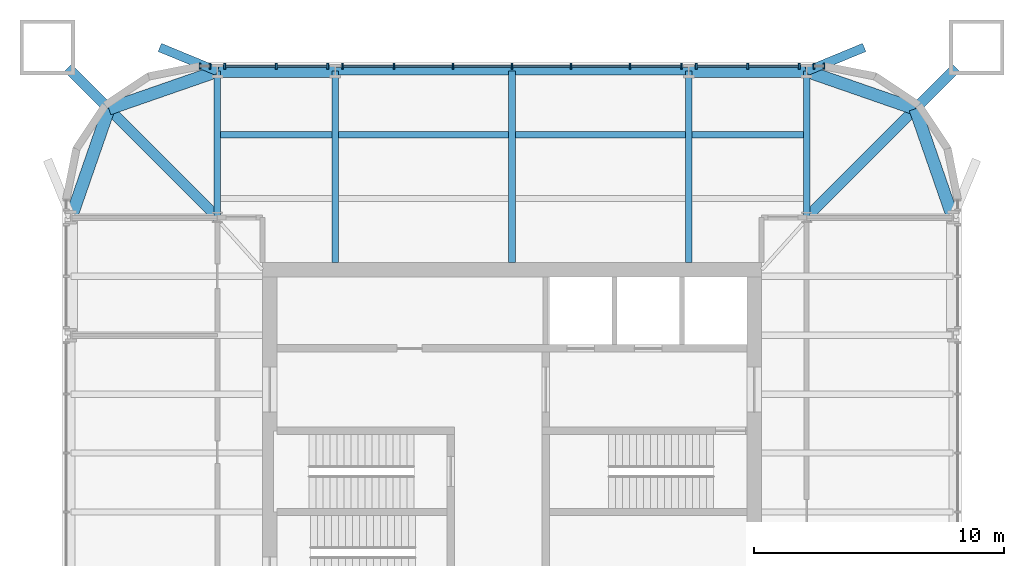
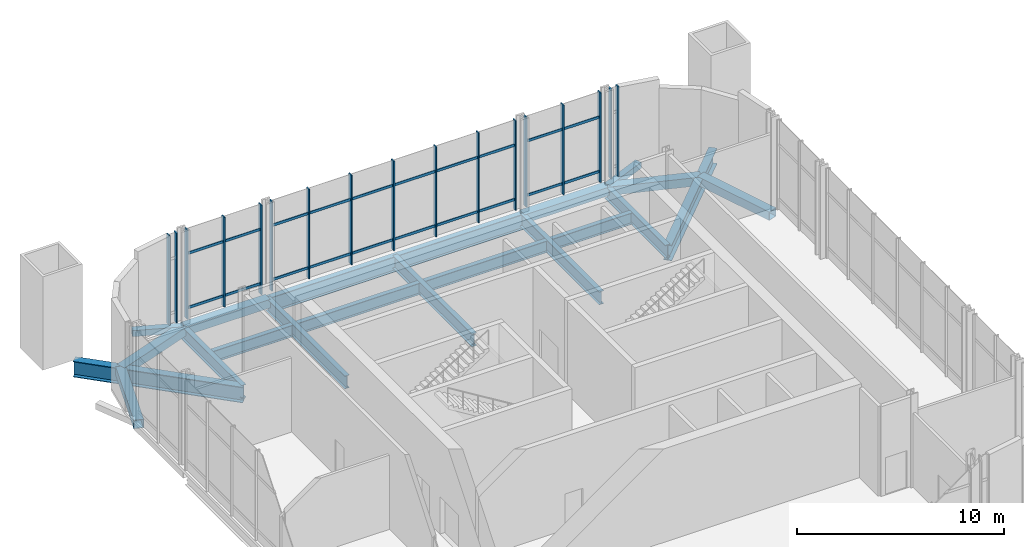
# One storey, part 6 of 17: 37 members, 20 beams, 5 elements without a shape of their own.
"""IFC4 building model written with IfcOpenShell, lengths in metres."""

from ifc_helpers import new_model, si_unit, direction, frame, origin, origin_2d, place, context, subcontext, project, spatial, rectangle, hollow_rectangle, i_section, extrude, material, material_profile, profile_set, type_object, element, aggregate, save


model = new_model("IFC4")

# Units and contexts
model_context = context("Model", 3, precision=1e-05, world=origin(), true_north=direction((0.0, 1.0)))
body_context = subcontext(model_context, "Body", "Model", "MODEL_VIEW")
ifc_project = project(units=[si_unit("LENGTHUNIT", "METRE"), si_unit("AREAUNIT", "SQUARE_METRE"), si_unit("VOLUMEUNIT", "CUBIC_METRE"), si_unit("PLANEANGLEUNIT", "RADIAN"), si_unit("MASSUNIT", "GRAM", prefix="KILO")], contexts=[model_context])

# Site, building, storey
site_placement = place(None, origin())
site = spatial("IfcSite", under=ifc_project, at=site_placement, CompositionType="ELEMENT")
building_placement = place(site_placement, origin())
building = spatial("IfcBuilding", under=site, at=building_placement, Name="Turquesa Mirador Hotel Tower", CompositionType="ELEMENT")
storey_placement = place(building_placement, frame((0.0, 0.0, 266.699951171875)))
storey = spatial("IfcBuildingStorey", under=building, at=storey_placement, Name="L72", CompositionType="ELEMENT", Elevation=266.699951171875)

# Beams
ifc_material_1 = material(Name="Steel ASTM A572 Grade 50", Category="steel")
ifc_material_profile_1 = material_profile(ifc_material_1, hollow_rectangle(XDim=0.5, YDim=0.5, WallThickness=0.01611328125, at=origin_2d()), Name="BOX500X500X16")
ifc_profile_set_1 = profile_set([ifc_material_profile_1], Name="Steel ASTM A572 Grade 50")
beam_type_1 = type_object("IfcBeamType", Name="BEAM BOX500X500X16", PredefinedType="BEAM", material=ifc_profile_set_1)
for number, where, z_axis, x_axis, name in (
    (1, (43.199951171875, 62.64990234375, -0.419921875), (1.0, 0.0, 0.0), (0.0, 1.0, 0.0), "EB-L72-N-L"),
    (2, (62.080078125, 62.64990234375, -0.419921875), (1.0, 0.0, 0.0), (0.0, 1.0, 0.0), "EB-L72-N-R"),
):
    element("IfcBeam", number, at=place(storey_placement, frame(where, z_axis=z_axis, x_axis=x_axis)), inside=storey, type_object=beam_type_1, Name=name, PredefinedType="BEAM", context=body_context, shape_type="SweptSolid", body=[
        extrude(hollow_rectangle(XDim=0.5, YDim=0.5, WallThickness=0.01611328125, at=origin_2d()), origin(), (0.0, 0.0, 1.0), 4.719970703125),
    ])
for number, where, z_axis, x_axis, name in (
    (3, (72.64990234375, 56.800048828125, -0.419921875), (-0.328170356092, 0.944618556552, 0.0), (-0.944618556552, -0.328170356092, 0.0), "KE-L72-1-0"),
    (4, (71.1416015625, 61.1416015625, -0.419921875), (-0.944618556552, 0.328170356092, 0.0), (-0.328170356092, -0.944618556552, 0.0), "KE-L72-1-1"),
    (5, (37.35009765625, 56.800048828125, -0.419921875), (0.328170356092, 0.944618556552, 0.0), (-0.944618556552, 0.328170356092, 0.0), "KE-L72-2-0"),
    (6, (38.8583984375, 61.1416015625, -0.419921875), (0.944618556552, 0.328170356092, 0.0), (-0.328170356092, 0.944618556552, 0.0), "KE-L72-2-1"),
):
    element("IfcBeam", number, at=place(storey_placement, frame(where, z_axis=z_axis, x_axis=x_axis)), inside=storey, type_object=beam_type_1, Name=name, PredefinedType="BEAM", context=body_context, shape_type="SweptSolid", body=[
        extrude(hollow_rectangle(XDim=0.5, YDim=0.5, WallThickness=0.01611328125, at=origin_2d()), origin(), (0.0, 0.0, 1.0), 4.59619140625),
    ])
ifc_material_2 = material(Name="Steel ASTM A992 Grade 50", Category="steel")
ifc_material_profile_2 = material_profile(ifc_material_2, i_section(OverallWidth=0.25390625, OverallDepth=0.683349609375, WebThickness=0.012451171875, FlangeThickness=0.018798828125, at=origin_2d()), Name="W27X94")
ifc_profile_set_2 = profile_set([ifc_material_profile_2], Name="Steel ASTM A992 Grade 50")
beam_type_2 = type_object("IfcBeamType", Name="BEAM W27X94", PredefinedType="BEAM", material=ifc_profile_set_2)
beam_1_placement = place(storey_placement, frame((43.333251953125, 60.10009765625, -0.511474609375), z_axis=(1.0, 0.0, 0.0), x_axis=(0.0, 1.0, 0.0)))
element("IfcBeam", 7, at=beam_1_placement, inside=storey, type_object=beam_type_2, Name="IB-L72-N-2-0", PredefinedType="BEAM", context=body_context, shape_type="SweptSolid", body=[
    extrude(i_section(OverallWidth=0.25390625, OverallDepth=0.683349609375, WebThickness=0.012451171875, FlangeThickness=0.018798828125, at=origin_2d()), origin(), (0.0, 0.0, 1.0), 4.453369140625),
])
for number, where, z_axis, x_axis, name in (
    (8, (48.053466796875, 60.10009765625, -0.511474609375), (1.0, 0.0, 0.0), (0.0, 1.0, 0.0), "IB-L72-N-2-1"),
    (9, (55.13330078125, 60.10009765625, -0.511474609375), (1.0, 0.0, 0.0), (0.0, 1.0, 0.0), "IB-L72-N-2-2"),
):
    element("IfcBeam", number, at=place(storey_placement, frame(where, z_axis=z_axis, x_axis=x_axis)), inside=storey, type_object=beam_type_2, Name=name, PredefinedType="BEAM", context=body_context, shape_type="SweptSolid", body=[
        extrude(i_section(OverallWidth=0.25390625, OverallDepth=0.683349609375, WebThickness=0.012451171875, FlangeThickness=0.018798828125, at=origin_2d()), origin(), (0.0, 0.0, 1.0), 6.813232421875),
    ])
beam_2_placement = place(storey_placement, frame((62.21337890625, 60.10009765625, -0.511474609375), z_axis=(1.0, 0.0, 0.0), x_axis=(0.0, 1.0, 0.0)))
element("IfcBeam", 10, at=beam_2_placement, inside=storey, type_object=beam_type_2, Name="IB-L72-N-2-3", PredefinedType="BEAM", context=body_context, shape_type="SweptSolid", body=[
    extrude(i_section(OverallWidth=0.25390625, OverallDepth=0.683349609375, WebThickness=0.012451171875, FlangeThickness=0.018798828125, at=origin_2d()), origin(), (0.0, 0.0, 1.0), 4.453369140625),
])
ifc_material_3 = material(Name="Steel ASTM A992 Grade 50", Category="steel")
ifc_material_profile_3 = material_profile(ifc_material_3, i_section(OverallWidth=0.2666015625, OverallDepth=0.761962890625, WebThickness=0.014404296875, FlangeThickness=0.021484375, at=origin_2d()), Name="W30X116")
ifc_profile_set_3 = profile_set([ifc_material_profile_3], Name="Steel ASTM A992 Grade 50")
beam_type_3 = type_object("IfcBeamType", Name="BEAM W30X116", PredefinedType="BEAM", material=ifc_profile_set_3)
for number, where, z_axis, x_axis, name in (
    (11, (47.919921875, 62.64990234375, -0.551025390625), (0.0, -1.0, 0.0), (1.0, 0.0, 0.0), "GD-L72-N--7.08"),
    (12, (62.080078125, 62.64990234375, -0.551025390625), (0.0, -1.0, 0.0), (1.0, 0.0, 0.0), "GD-L72-N-+7.08"),
    (13, (55.0, 62.64990234375, -0.551025390625), (0.0, -1.0, 0.0), (1.0, 0.0, 0.0), "GD-L72-N-+0.00"),
):
    element("IfcBeam", number, at=place(storey_placement, frame(where, z_axis=z_axis, x_axis=x_axis)), inside=storey, type_object=beam_type_3, Name=name, PredefinedType="BEAM", context=body_context, shape_type="SweptSolid", body=[
        extrude(i_section(OverallWidth=0.2666015625, OverallDepth=0.761962890625, WebThickness=0.014404296875, FlangeThickness=0.021484375, at=origin_2d()), origin(), (0.0, 0.0, 1.0), 7.64990234375),
    ])
for number, where, z_axis, x_axis, name in (
    (14, (43.199951171875, 62.64990234375, -0.551025390625), (0.0, -1.0, 0.0), (1.0, 0.0, 0.0), "GK-L72-N--11.80"),
    (15, (66.800048828125, 62.64990234375, -0.551025390625), (0.0, -1.0, 0.0), (1.0, 0.0, 0.0), "GK-L72-N-+11.80"),
):
    element("IfcBeam", number, at=place(storey_placement, frame(where, z_axis=z_axis, x_axis=x_axis)), inside=storey, type_object=beam_type_3, Name=name, PredefinedType="BEAM", context=body_context, shape_type="SweptSolid", body=[
        extrude(i_section(OverallWidth=0.2666015625, OverallDepth=0.761962890625, WebThickness=0.014404296875, FlangeThickness=0.021484375, at=origin_2d()), origin(), (0.0, 0.0, 1.0), 5.849853515625),
    ])
ifc_material_4 = material(Name="Steel ASTM A992 Grade 50", Category="steel")
ifc_material_profile_4 = material_profile(ifc_material_4, i_section(OverallWidth=0.3046875, OverallDepth=0.911865234375, WebThickness=0.015869140625, FlangeThickness=0.02392578125, at=origin_2d()), Name="W36X150")
ifc_profile_set_4 = profile_set([ifc_material_profile_4], Name="Steel ASTM A992 Grade 50")
beam_type_4 = type_object("IfcBeamType", Name="BEAM W36X150", PredefinedType="BEAM", material=ifc_profile_set_4)
beam_3_placement = place(storey_placement, frame((47.919921875, 62.64990234375, -0.6259765625), z_axis=(1.0, 0.0, 0.0), x_axis=(0.0, 1.0, 0.0)))
element("IfcBeam", 16, at=beam_3_placement, inside=storey, type_object=beam_type_4, Name="EB-L72-N-C", PredefinedType="BEAM", context=body_context, shape_type="SweptSolid", body=[
    extrude(i_section(OverallWidth=0.3046875, OverallDepth=0.911865234375, WebThickness=0.015869140625, FlangeThickness=0.02392578125, at=origin_2d()), origin(), (0.0, 0.0, 1.0), 14.16015625),
])
ifc_material_5 = material(Name="Steel ASTM A992 Grade 50", Category="steel")
ifc_material_profile_5 = material_profile(ifc_material_5, i_section(OverallWidth=0.419189453125, OverallDepth=0.927001953125, WebThickness=0.019287109375, FlangeThickness=0.031982421875, at=origin_2d()), Name="W36X231")
ifc_profile_set_5 = profile_set([ifc_material_profile_5], Name="Steel ASTM A992 Grade 50")
beam_type_5 = type_object("IfcBeamType", Name="BEAM W36X231", PredefinedType="BEAM", material=ifc_profile_set_5)
for number, where, z_axis, x_axis, name in (
    (17, (66.800048828125, 56.800048828125, -0.633544921875), (0.707106781187, 0.707106781187, 0.0), (-0.707106781187, 0.707106781187, 0.0), "KD-L72-1"),
    (18, (43.199951171875, 56.800048828125, -0.633544921875), (-0.707106781187, 0.707106781187, 0.0), (-0.707106781187, -0.707106781187, 0.0), "KD-L72-2"),
):
    element("IfcBeam", number, at=place(storey_placement, frame(where, z_axis=z_axis, x_axis=x_axis)), inside=storey, type_object=beam_type_5, Name=name, PredefinedType="BEAM", context=body_context, shape_type="SweptSolid", body=[
        extrude(i_section(OverallWidth=0.419189453125, OverallDepth=0.927001953125, WebThickness=0.019287109375, FlangeThickness=0.031982421875, at=origin_2d()), origin(), (0.0, 0.0, 1.0), 8.46240234375),
    ])
ifc_material_6 = material(Name="Steel ASTM A500 Grade C", Category="steel")
ifc_material_profile_6 = material_profile(ifc_material_6, hollow_rectangle(XDim=0.355712890625, YDim=0.355712890625, WallThickness=0.0146484375, at=origin_2d()), Name="HSS14X14X5/8")
ifc_profile_set_6 = profile_set([ifc_material_profile_6], Name="Steel ASTM A500 Grade C")
beam_type_6 = type_object("IfcBeamType", Name="BRACE STRUT HSS14X14X5/8", PredefinedType="BEAM", material=ifc_profile_set_6)
for number, where, z_axis, x_axis, name in (
    (19, (69.103271484375, 63.60009765625, -0.34765625), (-0.924422192524, -0.381370698887, 0.0), (0.381370698887, -0.924422192524, 0.0), "Brace strut"),
    (20, (40.896728515625, 63.60009765625, -0.34765625), (0.924422192524, -0.381370698887, 0.0), (0.381370698887, 0.924422192524, 0.0), "Brace strut"),
):
    element("IfcBeam", number, at=place(storey_placement, frame(where, z_axis=z_axis, x_axis=x_axis)), inside=storey, type_object=beam_type_6, Name=name, PredefinedType="BEAM", context=body_context, shape_type="SweptSolid", body=[
        extrude(hollow_rectangle(XDim=0.355712890625, YDim=0.355712890625, WallThickness=0.0146484375, at=origin_2d()), origin(), (0.0, 0.0, 1.0), 2.491455078125),
    ])

# Curtain wall, members
ifc_material_7 = material(Name="Aluminium extrusion", Category="aluminium")
curtain_wall_type = type_object("IfcCurtainWallType", Name="CW-6 OBSERVATION CURTAIN WALL", PredefinedType="USERDEFINED", material=ifc_material_7)
curtain_wall_1_placement = place(storey_placement, origin())
curtain_wall_1 = element("IfcCurtainWall", 21, at=curtain_wall_1_placement, inside=storey, type_object=curtain_wall_type, Name="CW-6 OBSERVATION CURTAIN WALL L72", ObjectType="CURTAIN WALL", PredefinedType="USERDEFINED")
ifc_material_8 = material(Name="Aluminium extrusion", Category="aluminium")
ifc_material_profile_7 = material_profile(ifc_material_8, rectangle(XDim=0.06494140625, YDim=0.25, at=origin_2d()), Name="MULLION 65X250")
ifc_profile_set_7 = profile_set([ifc_material_profile_7], Name="Aluminium extrusion")
member_type_1 = type_object("IfcMemberType", Name="CW MULLION 65X250", PredefinedType="MULLION", material=ifc_profile_set_7)
member_1_placement = place(storey_placement, frame((67.5, 62.85009765625, 0.0), z_axis=(0.0, 0.0, 1.0), x_axis=(-1.0, 0.0, 0.0)))
member_1 = element("IfcMember", 22, at=member_1_placement, type_object=member_type_1, Name="Mullion", PredefinedType="MULLION", context=body_context, shape_type="SweptSolid", body=[
    extrude(rectangle(XDim=0.06494140625, YDim=0.25, at=origin_2d()), origin(), (0.0, 0.0, 1.0), 5.280029296875),
])
member_2_placement = place(storey_placement, frame((67.099853515625, 62.85009765625, 0.0), z_axis=(0.0, 0.0, 1.0), x_axis=(-1.0, 0.0, 0.0)))
member_2 = element("IfcMember", 23, at=member_2_placement, type_object=member_type_1, Name="Mullion", PredefinedType="MULLION", context=body_context, shape_type="SweptSolid", body=[
    extrude(rectangle(XDim=0.06494140625, YDim=0.25, at=origin_2d()), origin(), (0.0, 0.0, 1.0), 5.280029296875),
])
aggregate(curtain_wall_1, [member_1, member_2])

curtain_wall_2_placement = place(storey_placement, origin())
curtain_wall_2 = element("IfcCurtainWall", 24, at=curtain_wall_2_placement, inside=storey, type_object=curtain_wall_type, Name="CW-6 OBSERVATION CURTAIN WALL L72", ObjectType="CURTAIN WALL", PredefinedType="USERDEFINED")
member_3_placement = place(storey_placement, frame((66.5, 62.85009765625, 0.0), z_axis=(0.0, 0.0, 1.0), x_axis=(-1.0, 0.0, 0.0)))
member_3 = element("IfcMember", 25, at=member_3_placement, type_object=member_type_1, Name="Mullion", PredefinedType="MULLION", context=body_context, shape_type="SweptSolid", body=[
    extrude(rectangle(XDim=0.06494140625, YDim=0.25, at=origin_2d()), origin(), (0.0, 0.0, 1.0), 5.280029296875),
])
member_4_placement = place(storey_placement, frame((64.43994140625, 62.85009765625, 0.0), z_axis=(0.0, 0.0, 1.0), x_axis=(-1.0, 0.0, 0.0)))
member_4 = element("IfcMember", 26, at=member_4_placement, type_object=member_type_1, Name="Mullion", PredefinedType="MULLION", context=body_context, shape_type="SweptSolid", body=[
    extrude(rectangle(XDim=0.06494140625, YDim=0.25, at=origin_2d()), origin(), (0.0, 0.0, 1.0), 5.280029296875),
])
member_5_placement = place(storey_placement, frame((62.3798828125, 62.85009765625, 0.0), z_axis=(0.0, 0.0, 1.0), x_axis=(-1.0, 0.0, 0.0)))
member_5 = element("IfcMember", 27, at=member_5_placement, type_object=member_type_1, Name="Mullion", PredefinedType="MULLION", context=body_context, shape_type="SweptSolid", body=[
    extrude(rectangle(XDim=0.06494140625, YDim=0.25, at=origin_2d()), origin(), (0.0, 0.0, 1.0), 5.280029296875),
])

curtain_wall_3_placement = place(storey_placement, origin())
curtain_wall_3 = element("IfcCurtainWall", 28, at=curtain_wall_3_placement, inside=storey, type_object=curtain_wall_type, Name="CW-6 OBSERVATION CURTAIN WALL L72", ObjectType="CURTAIN WALL", PredefinedType="USERDEFINED")
member_6_placement = place(storey_placement, frame((61.780029296875, 62.85009765625, 0.0), z_axis=(0.0, 0.0, 1.0), x_axis=(-1.0, 0.0, 0.0)))
member_6 = element("IfcMember", 29, at=member_6_placement, type_object=member_type_1, Name="Mullion", PredefinedType="MULLION", context=body_context, shape_type="SweptSolid", body=[
    extrude(rectangle(XDim=0.06494140625, YDim=0.25, at=origin_2d()), origin(), (0.0, 0.0, 1.0), 5.280029296875),
])
member_7_placement = place(storey_placement, frame((59.719970703125, 62.85009765625, 0.0), z_axis=(0.0, 0.0, 1.0), x_axis=(-1.0, 0.0, 0.0)))
member_7 = element("IfcMember", 30, at=member_7_placement, type_object=member_type_1, Name="Mullion", PredefinedType="MULLION", context=body_context, shape_type="SweptSolid", body=[
    extrude(rectangle(XDim=0.06494140625, YDim=0.25, at=origin_2d()), origin(), (0.0, 0.0, 1.0), 5.280029296875),
])
member_8_placement = place(storey_placement, frame((57.360107421875, 62.85009765625, 0.0), z_axis=(0.0, 0.0, 1.0), x_axis=(-1.0, 0.0, 0.0)))
member_8 = element("IfcMember", 31, at=member_8_placement, type_object=member_type_1, Name="Mullion", PredefinedType="MULLION", context=body_context, shape_type="SweptSolid", body=[
    extrude(rectangle(XDim=0.06494140625, YDim=0.25, at=origin_2d()), origin(), (0.0, 0.0, 1.0), 5.280029296875),
])
member_9_placement = place(storey_placement, frame((55.0, 62.85009765625, 0.0), z_axis=(0.0, 0.0, 1.0), x_axis=(-1.0, 0.0, 0.0)))
member_9 = element("IfcMember", 32, at=member_9_placement, type_object=member_type_1, Name="Mullion", PredefinedType="MULLION", context=body_context, shape_type="SweptSolid", body=[
    extrude(rectangle(XDim=0.06494140625, YDim=0.25, at=origin_2d()), origin(), (0.0, 0.0, 1.0), 5.280029296875),
])
member_10_placement = place(storey_placement, frame((52.639892578125, 62.85009765625, 0.0), z_axis=(0.0, 0.0, 1.0), x_axis=(-1.0, 0.0, 0.0)))
member_10 = element("IfcMember", 33, at=member_10_placement, type_object=member_type_1, Name="Mullion", PredefinedType="MULLION", context=body_context, shape_type="SweptSolid", body=[
    extrude(rectangle(XDim=0.06494140625, YDim=0.25, at=origin_2d()), origin(), (0.0, 0.0, 1.0), 5.280029296875),
])
member_11_placement = place(storey_placement, frame((50.280029296875, 62.85009765625, 0.0), z_axis=(0.0, 0.0, 1.0), x_axis=(-1.0, 0.0, 0.0)))
member_11 = element("IfcMember", 34, at=member_11_placement, type_object=member_type_1, Name="Mullion", PredefinedType="MULLION", context=body_context, shape_type="SweptSolid", body=[
    extrude(rectangle(XDim=0.06494140625, YDim=0.25, at=origin_2d()), origin(), (0.0, 0.0, 1.0), 5.280029296875),
])
member_12_placement = place(storey_placement, frame((48.219970703125, 62.85009765625, 0.0), z_axis=(0.0, 0.0, 1.0), x_axis=(-1.0, 0.0, 0.0)))
member_12 = element("IfcMember", 35, at=member_12_placement, type_object=member_type_1, Name="Mullion", PredefinedType="MULLION", context=body_context, shape_type="SweptSolid", body=[
    extrude(rectangle(XDim=0.06494140625, YDim=0.25, at=origin_2d()), origin(), (0.0, 0.0, 1.0), 5.280029296875),
])

curtain_wall_4_placement = place(storey_placement, origin())
curtain_wall_4 = element("IfcCurtainWall", 36, at=curtain_wall_4_placement, inside=storey, type_object=curtain_wall_type, Name="CW-6 OBSERVATION CURTAIN WALL L72", ObjectType="CURTAIN WALL", PredefinedType="USERDEFINED")
member_13_placement = place(storey_placement, frame((47.6201171875, 62.85009765625, 0.0), z_axis=(0.0, 0.0, 1.0), x_axis=(-1.0, 0.0, 0.0)))
member_13 = element("IfcMember", 37, at=member_13_placement, type_object=member_type_1, Name="Mullion", PredefinedType="MULLION", context=body_context, shape_type="SweptSolid", body=[
    extrude(rectangle(XDim=0.06494140625, YDim=0.25, at=origin_2d()), origin(), (0.0, 0.0, 1.0), 5.280029296875),
])
member_14_placement = place(storey_placement, frame((45.56005859375, 62.85009765625, 0.0), z_axis=(0.0, 0.0, 1.0), x_axis=(-1.0, 0.0, 0.0)))
member_14 = element("IfcMember", 38, at=member_14_placement, type_object=member_type_1, Name="Mullion", PredefinedType="MULLION", context=body_context, shape_type="SweptSolid", body=[
    extrude(rectangle(XDim=0.06494140625, YDim=0.25, at=origin_2d()), origin(), (0.0, 0.0, 1.0), 5.280029296875),
])
member_15_placement = place(storey_placement, frame((43.5, 62.85009765625, 0.0), z_axis=(0.0, 0.0, 1.0), x_axis=(-1.0, 0.0, 0.0)))
member_15 = element("IfcMember", 39, at=member_15_placement, type_object=member_type_1, Name="Mullion", PredefinedType="MULLION", context=body_context, shape_type="SweptSolid", body=[
    extrude(rectangle(XDim=0.06494140625, YDim=0.25, at=origin_2d()), origin(), (0.0, 0.0, 1.0), 5.280029296875),
])

curtain_wall_5_placement = place(storey_placement, origin())
curtain_wall_5 = element("IfcCurtainWall", 40, at=curtain_wall_5_placement, inside=storey, type_object=curtain_wall_type, Name="CW-6 OBSERVATION CURTAIN WALL L72", ObjectType="CURTAIN WALL", PredefinedType="USERDEFINED")
member_16_placement = place(storey_placement, frame((42.900146484375, 62.85009765625, 0.0), z_axis=(0.0, 0.0, 1.0), x_axis=(-1.0, 0.0, 0.0)))
member_16 = element("IfcMember", 41, at=member_16_placement, type_object=member_type_1, Name="Mullion", PredefinedType="MULLION", context=body_context, shape_type="SweptSolid", body=[
    extrude(rectangle(XDim=0.06494140625, YDim=0.25, at=origin_2d()), origin(), (0.0, 0.0, 1.0), 5.280029296875),
])
member_17_placement = place(storey_placement, frame((42.5, 62.85009765625, 0.0), z_axis=(0.0, 0.0, 1.0), x_axis=(-1.0, 0.0, 0.0)))
member_17 = element("IfcMember", 42, at=member_17_placement, type_object=member_type_1, Name="Mullion", PredefinedType="MULLION", context=body_context, shape_type="SweptSolid", body=[
    extrude(rectangle(XDim=0.06494140625, YDim=0.25, at=origin_2d()), origin(), (0.0, 0.0, 1.0), 5.280029296875),
])
aggregate(curtain_wall_5, [member_16, member_17])

# Member
ifc_material_9 = material(Name="Aluminium extrusion", Category="aluminium")
ifc_material_profile_8 = material_profile(ifc_material_9, rectangle(XDim=0.06494140625, YDim=0.14990234375, at=origin_2d()), Name="TRANSOM 65X150")
ifc_profile_set_8 = profile_set([ifc_material_profile_8], Name="Aluminium extrusion")
member_type_2 = type_object("IfcMemberType", Name="CW TRANSOM 65X150", PredefinedType="USERDEFINED", material=ifc_profile_set_8)
member_18_placement = place(storey_placement, frame((66.467529296875, 62.85009765625, 0.60009765625), z_axis=(-1.0, 0.0, 0.0), x_axis=(0.0, -1.0, 0.0)))
member_18 = element("IfcMember", 43, at=member_18_placement, type_object=member_type_2, Name="Transom", ObjectType="TRANSOM", PredefinedType="USERDEFINED", context=body_context, shape_type="SweptSolid", body=[
    extrude(rectangle(XDim=0.06494140625, YDim=0.14990234375, at=origin_2d()), origin(), (0.0, 0.0, 1.0), 1.9951171875),
])

member_19_placement = place(storey_placement, frame((66.467529296875, 62.85009765625, 3.800048828125), z_axis=(-1.0, 0.0, 0.0), x_axis=(0.0, -1.0, 0.0)))
member_19 = element("IfcMember", 44, at=member_19_placement, type_object=member_type_2, Name="Transom", ObjectType="TRANSOM", PredefinedType="USERDEFINED", context=body_context, shape_type="SweptSolid", body=[
    extrude(rectangle(XDim=0.06494140625, YDim=0.14990234375, at=origin_2d()), origin(), (0.0, 0.0, 1.0), 1.9951171875),
])

member_20_placement = place(storey_placement, frame((64.407470703125, 62.85009765625, 0.60009765625), z_axis=(-1.0, 0.0, 0.0), x_axis=(0.0, -1.0, 0.0)))
member_20 = element("IfcMember", 45, at=member_20_placement, type_object=member_type_2, Name="Transom", ObjectType="TRANSOM", PredefinedType="USERDEFINED", context=body_context, shape_type="SweptSolid", body=[
    extrude(rectangle(XDim=0.06494140625, YDim=0.14990234375, at=origin_2d()), origin(), (0.0, 0.0, 1.0), 1.9951171875),
])

member_21_placement = place(storey_placement, frame((64.407470703125, 62.85009765625, 3.800048828125), z_axis=(-1.0, 0.0, 0.0), x_axis=(0.0, -1.0, 0.0)))
member_21 = element("IfcMember", 46, at=member_21_placement, type_object=member_type_2, Name="Transom", ObjectType="TRANSOM", PredefinedType="USERDEFINED", context=body_context, shape_type="SweptSolid", body=[
    extrude(rectangle(XDim=0.06494140625, YDim=0.14990234375, at=origin_2d()), origin(), (0.0, 0.0, 1.0), 1.9951171875),
])

aggregate(curtain_wall_2, [member_3, member_4, member_5, member_18, member_19, member_20, member_21])

member_22_placement = place(storey_placement, frame((61.74755859375, 62.85009765625, 0.60009765625), z_axis=(-1.0, 0.0, 0.0), x_axis=(0.0, -1.0, 0.0)))
member_22 = element("IfcMember", 47, at=member_22_placement, type_object=member_type_2, Name="Transom", ObjectType="TRANSOM", PredefinedType="USERDEFINED", context=body_context, shape_type="SweptSolid", body=[
    extrude(rectangle(XDim=0.06494140625, YDim=0.14990234375, at=origin_2d()), origin(), (0.0, 0.0, 1.0), 1.9951171875),
])

member_23_placement = place(storey_placement, frame((61.74755859375, 62.85009765625, 3.800048828125), z_axis=(-1.0, 0.0, 0.0), x_axis=(0.0, -1.0, 0.0)))
member_23 = element("IfcMember", 48, at=member_23_placement, type_object=member_type_2, Name="Transom", ObjectType="TRANSOM", PredefinedType="USERDEFINED", context=body_context, shape_type="SweptSolid", body=[
    extrude(rectangle(XDim=0.06494140625, YDim=0.14990234375, at=origin_2d()), origin(), (0.0, 0.0, 1.0), 1.9951171875),
])

member_24_placement = place(storey_placement, frame((59.6875, 62.85009765625, 0.60009765625), z_axis=(-1.0, 0.0, 0.0), x_axis=(0.0, -1.0, 0.0)))
member_24 = element("IfcMember", 49, at=member_24_placement, type_object=member_type_2, Name="Transom", ObjectType="TRANSOM", PredefinedType="USERDEFINED", context=body_context, shape_type="SweptSolid", body=[
    extrude(rectangle(XDim=0.06494140625, YDim=0.14990234375, at=origin_2d()), origin(), (0.0, 0.0, 1.0), 2.294921875),
])

member_25_placement = place(storey_placement, frame((59.6875, 62.85009765625, 3.800048828125), z_axis=(-1.0, 0.0, 0.0), x_axis=(0.0, -1.0, 0.0)))
member_25 = element("IfcMember", 50, at=member_25_placement, type_object=member_type_2, Name="Transom", ObjectType="TRANSOM", PredefinedType="USERDEFINED", context=body_context, shape_type="SweptSolid", body=[
    extrude(rectangle(XDim=0.06494140625, YDim=0.14990234375, at=origin_2d()), origin(), (0.0, 0.0, 1.0), 2.294921875),
])

member_26_placement = place(storey_placement, frame((57.327392578125, 62.85009765625, 0.60009765625), z_axis=(-1.0, 0.0, 0.0), x_axis=(0.0, -1.0, 0.0)))
member_26 = element("IfcMember", 51, at=member_26_placement, type_object=member_type_2, Name="Transom", ObjectType="TRANSOM", PredefinedType="USERDEFINED", context=body_context, shape_type="SweptSolid", body=[
    extrude(rectangle(XDim=0.06494140625, YDim=0.14990234375, at=origin_2d()), origin(), (0.0, 0.0, 1.0), 2.294921875),
])

member_27_placement = place(storey_placement, frame((57.327392578125, 62.85009765625, 3.800048828125), z_axis=(-1.0, 0.0, 0.0), x_axis=(0.0, -1.0, 0.0)))
member_27 = element("IfcMember", 52, at=member_27_placement, type_object=member_type_2, Name="Transom", ObjectType="TRANSOM", PredefinedType="USERDEFINED", context=body_context, shape_type="SweptSolid", body=[
    extrude(rectangle(XDim=0.06494140625, YDim=0.14990234375, at=origin_2d()), origin(), (0.0, 0.0, 1.0), 2.294921875),
])

member_28_placement = place(storey_placement, frame((54.967529296875, 62.85009765625, 0.60009765625), z_axis=(-1.0, 0.0, 0.0), x_axis=(0.0, -1.0, 0.0)))
member_28 = element("IfcMember", 53, at=member_28_placement, type_object=member_type_2, Name="Transom", ObjectType="TRANSOM", PredefinedType="USERDEFINED", context=body_context, shape_type="SweptSolid", body=[
    extrude(rectangle(XDim=0.06494140625, YDim=0.14990234375, at=origin_2d()), origin(), (0.0, 0.0, 1.0), 2.294921875),
])

member_29_placement = place(storey_placement, frame((54.967529296875, 62.85009765625, 3.800048828125), z_axis=(-1.0, 0.0, 0.0), x_axis=(0.0, -1.0, 0.0)))
member_29 = element("IfcMember", 54, at=member_29_placement, type_object=member_type_2, Name="Transom", ObjectType="TRANSOM", PredefinedType="USERDEFINED", context=body_context, shape_type="SweptSolid", body=[
    extrude(rectangle(XDim=0.06494140625, YDim=0.14990234375, at=origin_2d()), origin(), (0.0, 0.0, 1.0), 2.294921875),
])

member_30_placement = place(storey_placement, frame((52.607421875, 62.85009765625, 0.60009765625), z_axis=(-1.0, 0.0, 0.0), x_axis=(0.0, -1.0, 0.0)))
member_30 = element("IfcMember", 55, at=member_30_placement, type_object=member_type_2, Name="Transom", ObjectType="TRANSOM", PredefinedType="USERDEFINED", context=body_context, shape_type="SweptSolid", body=[
    extrude(rectangle(XDim=0.06494140625, YDim=0.14990234375, at=origin_2d()), origin(), (0.0, 0.0, 1.0), 2.294921875),
])

member_31_placement = place(storey_placement, frame((52.607421875, 62.85009765625, 3.800048828125), z_axis=(-1.0, 0.0, 0.0), x_axis=(0.0, -1.0, 0.0)))
member_31 = element("IfcMember", 56, at=member_31_placement, type_object=member_type_2, Name="Transom", ObjectType="TRANSOM", PredefinedType="USERDEFINED", context=body_context, shape_type="SweptSolid", body=[
    extrude(rectangle(XDim=0.06494140625, YDim=0.14990234375, at=origin_2d()), origin(), (0.0, 0.0, 1.0), 2.294921875),
])

member_32_placement = place(storey_placement, frame((50.24755859375, 62.85009765625, 0.60009765625), z_axis=(-1.0, 0.0, 0.0), x_axis=(0.0, -1.0, 0.0)))
member_32 = element("IfcMember", 57, at=member_32_placement, type_object=member_type_2, Name="Transom", ObjectType="TRANSOM", PredefinedType="USERDEFINED", context=body_context, shape_type="SweptSolid", body=[
    extrude(rectangle(XDim=0.06494140625, YDim=0.14990234375, at=origin_2d()), origin(), (0.0, 0.0, 1.0), 1.9951171875),
])

member_33_placement = place(storey_placement, frame((50.24755859375, 62.85009765625, 3.800048828125), z_axis=(-1.0, 0.0, 0.0), x_axis=(0.0, -1.0, 0.0)))
member_33 = element("IfcMember", 58, at=member_33_placement, type_object=member_type_2, Name="Transom", ObjectType="TRANSOM", PredefinedType="USERDEFINED", context=body_context, shape_type="SweptSolid", body=[
    extrude(rectangle(XDim=0.06494140625, YDim=0.14990234375, at=origin_2d()), origin(), (0.0, 0.0, 1.0), 1.9951171875),
])

aggregate(curtain_wall_3, [member_6, member_7, member_8, member_9, member_10, member_11, member_12, member_22, member_23, member_24, member_25, member_26, member_27, member_28, member_29, member_30, member_31, member_32, member_33])

member_34_placement = place(storey_placement, frame((47.587646484375, 62.85009765625, 0.60009765625), z_axis=(-1.0, 0.0, 0.0), x_axis=(0.0, -1.0, 0.0)))
member_34 = element("IfcMember", 59, at=member_34_placement, type_object=member_type_2, Name="Transom", ObjectType="TRANSOM", PredefinedType="USERDEFINED", context=body_context, shape_type="SweptSolid", body=[
    extrude(rectangle(XDim=0.06494140625, YDim=0.14990234375, at=origin_2d()), origin(), (0.0, 0.0, 1.0), 1.9951171875),
])

member_35_placement = place(storey_placement, frame((47.587646484375, 62.85009765625, 3.800048828125), z_axis=(-1.0, 0.0, 0.0), x_axis=(0.0, -1.0, 0.0)))
member_35 = element("IfcMember", 60, at=member_35_placement, type_object=member_type_2, Name="Transom", ObjectType="TRANSOM", PredefinedType="USERDEFINED", context=body_context, shape_type="SweptSolid", body=[
    extrude(rectangle(XDim=0.06494140625, YDim=0.14990234375, at=origin_2d()), origin(), (0.0, 0.0, 1.0), 1.9951171875),
])

member_36_placement = place(storey_placement, frame((45.527587890625, 62.85009765625, 0.60009765625), z_axis=(-1.0, 0.0, 0.0), x_axis=(0.0, -1.0, 0.0)))
member_36 = element("IfcMember", 61, at=member_36_placement, type_object=member_type_2, Name="Transom", ObjectType="TRANSOM", PredefinedType="USERDEFINED", context=body_context, shape_type="SweptSolid", body=[
    extrude(rectangle(XDim=0.06494140625, YDim=0.14990234375, at=origin_2d()), origin(), (0.0, 0.0, 1.0), 1.9951171875),
])

member_37_placement = place(storey_placement, frame((45.527587890625, 62.85009765625, 3.800048828125), z_axis=(-1.0, 0.0, 0.0), x_axis=(0.0, -1.0, 0.0)))
member_37 = element("IfcMember", 62, at=member_37_placement, type_object=member_type_2, Name="Transom", ObjectType="TRANSOM", PredefinedType="USERDEFINED", context=body_context, shape_type="SweptSolid", body=[
    extrude(rectangle(XDim=0.06494140625, YDim=0.14990234375, at=origin_2d()), origin(), (0.0, 0.0, 1.0), 1.9951171875),
])

aggregate(curtain_wall_4, [member_13, member_14, member_15, member_34, member_35, member_36, member_37])

save(model, "model.ifc")
